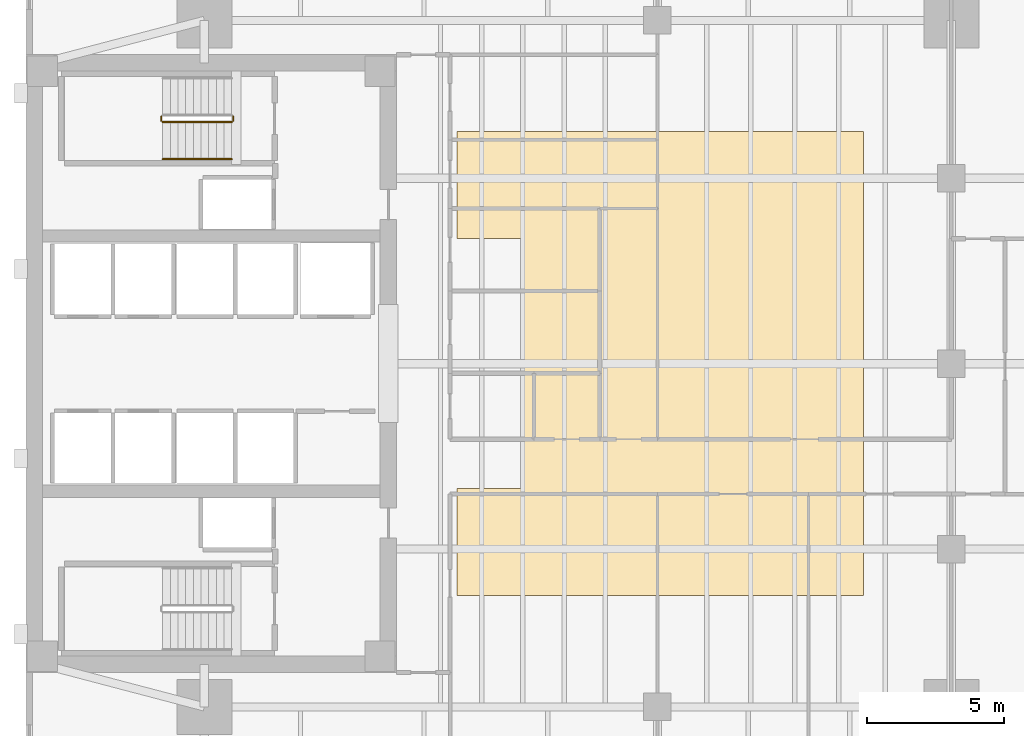
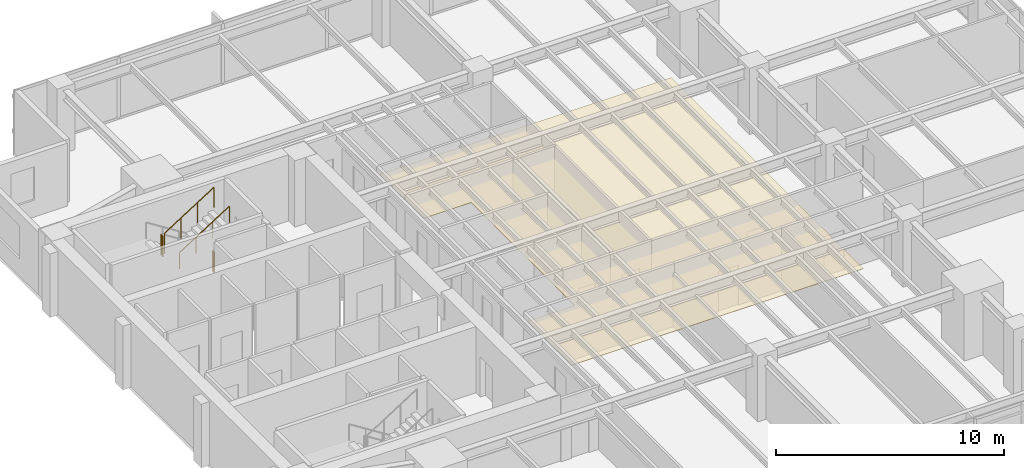
# One storey, part 13 of 15: 4 railings, 1 covering.
"""IFC4 building model written with IfcOpenShell, lengths in metres."""

import ifcopenshell
import ifcopenshell.guid

model = None  # the IFC model being written
_history = None  # IfcOwnerHistory: only IFC2X3 demands one
_inside = {}  # id of a spatial element -> (the spatial element, [elements in it])
_under = {}  # id of a project, library or spatial element -> (it, [spatial elements below it])
_declared = {}  # id of a project -> (the project, [libraries it declares])
_typed = {}  # id of a type object -> (the type object, [elements of that type])
_made_of = {}  # id of a material, layer set ... -> (it, [elements and type objects made of it])


def new_model(schema):
    """Start an empty IFC model of exactly this schema.

    Asked for "IFC4X3", IfcOpenShell would pick the latest addendum, in which some entities
    have other attributes; the version numbers below select the first issue.
    IFC2X3 requires an IfcOwnerHistory on every rooted entity: one is made here for all.
    """
    global model, _history
    if schema == "IFC4X3":
        model = ifcopenshell.file(schema_version=(4, 3, 0, 0))
    else:
        model = ifcopenshell.file(schema=schema)
    _inside.clear()
    _under.clear()
    _declared.clear()
    _typed.clear()
    _made_of.clear()
    _history = None
    if model.schema == "IFC2X3":
        org = make("IfcOrganization", Name="unknown")
        user = make(
            "IfcPersonAndOrganization",
            ThePerson=make("IfcPerson", FamilyName="unknown"),
            TheOrganization=org,
        )
        app = make(
            "IfcApplication",
            ApplicationDeveloper=org,
            Version="unknown",
            ApplicationFullName="unknown",
            ApplicationIdentifier="unknown",
        )
        _history = make(
            "IfcOwnerHistory",
            OwningUser=user,
            OwningApplication=app,
            ChangeAction="ADDED",
            CreationDate=0,
        )
    return model


def make(cls, **values):
    """One entity of the class cls with the attributes given. An attribute that is None is left unset."""
    return model.create_entity(
        cls, **{name: value for name, value in values.items() if value is not None}
    )


def rooted(cls, **values):
    """An entity with a GlobalId (a new one), such as an element, a storey or a relation."""
    return make(cls, GlobalId=ifcopenshell.guid.new(), OwnerHistory=_history, **values)


def si_unit(unit_type, name, prefix=None):
    """IfcSIUnit, for example si_unit("LENGTHUNIT", "METRE", prefix="MILLI")."""
    return make("IfcSIUnit", UnitType=unit_type, Prefix=prefix, Name=name)


def assignment(units):
    """IfcUnitAssignment: the units of a project."""
    return None if units is None else make("IfcUnitAssignment", Units=units)


def point(xyz):
    """IfcCartesianPoint."""
    return None if xyz is None else make("IfcCartesianPoint", Coordinates=xyz)


def direction(xyz):
    """IfcDirection."""
    return None if xyz is None else make("IfcDirection", DirectionRatios=xyz)


def frame(location, z_axis=None, x_axis=None):
    """IfcAxis2Placement3D, a coordinate frame: its origin and axes. An axis left out is left unset."""
    return make(
        "IfcAxis2Placement3D",
        Location=point(location),
        Axis=direction(z_axis),
        RefDirection=direction(x_axis),
    )


def frame_2d(location, x_axis=None):
    """IfcAxis2Placement2D, a coordinate frame in the plane: its origin and x axis."""
    return make(
        "IfcAxis2Placement2D", Location=point(location), RefDirection=direction(x_axis)
    )


def origin():
    """The frame at (0, 0, 0) with its axes left unset."""
    return frame((0.0, 0.0, 0.0))


def origin_2d():
    """The frame at (0, 0) in the plane with its x axis left unset."""
    return frame_2d((0.0, 0.0))


def place(relative_to, where):
    """IfcLocalPlacement: puts the frame where relative to a parent placement (None: the world)."""
    return make(
        "IfcLocalPlacement", PlacementRelTo=relative_to, RelativePlacement=where
    )


def context(
    kind, dimensions, precision=None, world=None, true_north=None, identifier=None
):
    """IfcGeometricRepresentationContext, for example the 3D "Model" context."""
    return make(
        "IfcGeometricRepresentationContext",
        ContextIdentifier=identifier,
        ContextType=kind,
        CoordinateSpaceDimension=dimensions,
        Precision=precision,
        WorldCoordinateSystem=world,
        TrueNorth=true_north,
    )


def subcontext(parent, identifier, kind, view, scale=None):
    """IfcGeometricRepresentationSubContext, for example "Body" below "Model"."""
    return make(
        "IfcGeometricRepresentationSubContext",
        ContextIdentifier=identifier,
        ContextType=kind,
        ParentContext=parent,
        TargetScale=scale,
        TargetView=view,
    )


def project(units=None, contexts=None):
    """IfcProject with its units and contexts."""
    return rooted(
        "IfcProject",
        Name="project",
        RepresentationContexts=contexts,
        UnitsInContext=assignment(units),
    )


def spatial(cls, under=None, at=None, **own):
    """A site, building, storey or space (cls), placed at a placement, below another one or the project."""
    s = rooted(cls, ObjectPlacement=at, **own)
    if under is not None:
        _under.setdefault(under.id(), (under, []))[1].append(s)
    return s


def polyline(points):
    """IfcPolyline through the points."""
    return make("IfcPolyline", Points=[point(p) for p in points])


def profile(cls, at=None, kind="AREA", **sizes):
    """A parametric profile (cls). Its sizes go by their IFC names, for example OverallWidth=200.0."""
    return make(cls, ProfileType=kind, Position=at, **sizes)


def circle(**sizes):
    """IfcCircleProfileDef."""
    return profile("IfcCircleProfileDef", **sizes)


def outline(outer, holes=None, kind="AREA"):
    """IfcArbitraryClosedProfileDef: a profile drawn as a closed curve; with holes, ...WithVoids."""
    if holes is None:
        return make("IfcArbitraryClosedProfileDef", ProfileType=kind, OuterCurve=outer)
    return make(
        "IfcArbitraryProfileDefWithVoids",
        ProfileType=kind,
        OuterCurve=outer,
        InnerCurves=holes,
    )


def extrude(swept, where, along, depth):
    """IfcExtrudedAreaSolid: the profile swept, set in the frame where, extruded along a direction by depth."""
    return make(
        "IfcExtrudedAreaSolid",
        SweptArea=swept,
        Position=where,
        ExtrudedDirection=direction(along),
        Depth=depth,
    )


def shape(context_of_items, identifier, shape_type, items):
    """IfcShapeRepresentation: the items that make up one representation, for example the "Body"."""
    return make(
        "IfcShapeRepresentation",
        ContextOfItems=context_of_items,
        RepresentationIdentifier=identifier,
        RepresentationType=shape_type,
        Items=items,
    )


def material(Name=None, Category=None):
    """IfcMaterial."""
    return make("IfcMaterial", Name=Name, Category=Category)


def layer(
    of_material, thickness, ventilated=None, Name=None, Category=None, Priority=None
):
    """IfcMaterialLayer: one layer of a wall or slab, of a material (None: an air gap)."""
    return make(
        "IfcMaterialLayer",
        Material=of_material,
        LayerThickness=thickness,
        IsVentilated=ventilated,
        Name=Name,
        Category=Category,
        Priority=Priority,
    )


def layer_set(layers, Name=None):
    """IfcMaterialLayerSet."""
    return make("IfcMaterialLayerSet", MaterialLayers=layers, LayerSetName=Name)


def made_of(thing, what):
    """Note that an element or type object is made of a material, layer set ...; save() writes the relation."""
    if what is not None:
        _made_of.setdefault(what.id(), (what, []))[1].append(thing)
    return thing


def type_object(cls, material=None, **own):
    """A type object (cls), such as IfcWallType, which elements share."""
    return made_of(rooted(cls, **own), material)


def element(
    cls,
    number,
    at=None,
    inside=None,
    cuts=None,
    type_object=None,
    material=None,
    context=None,
    identifier="Body",
    shape_type=None,
    held_by="IfcProductDefinitionShape",
    body=None,
    shapes=None,
    **own,
):
    """One element of the class cls, such as IfcWall. Its Tag is "e" and its number.

    at: its placement. inside: the storey or other place that contains it. cuts: it is an
    opening in that element (IfcRelVoidsElement). A single representation is given by context,
    identifier, shape_type and body (its items); several are given by shapes. held_by: the class
    of the entity that holds the representations. save() writes the other relations.
    """
    e = rooted(cls, Tag="e%d" % number, ObjectPlacement=at, **own)
    if body is not None:
        shapes = [shape(context, identifier, shape_type, body)]
    if shapes is not None:
        e.Representation = make(held_by, Representations=shapes)
    if inside is not None:
        _inside.setdefault(inside.id(), (inside, []))[1].append(e)
    if cuts is not None:
        rooted(
            "IfcRelVoidsElement", RelatingBuildingElement=cuts, RelatedOpeningElement=e
        )
    if type_object is not None:
        _typed.setdefault(type_object.id(), (type_object, []))[1].append(e)
    return made_of(e, material)


def aggregate(whole, parts):
    """IfcRelAggregates: a whole, such as a stair, and the parts it consists of."""
    return rooted("IfcRelAggregates", RelatingObject=whole, RelatedObjects=parts)


def save(model, path):
    """Write the relations noted so far, then the file.

    IfcRelAggregates (storeys below a building ...), IfcRelContainedInSpatialStructure (elements
    in a storey), IfcRelDefinesByType, IfcRelAssociatesMaterial and IfcRelDeclares: one each for
    every whole, place, type object, material and project.
    """
    for whole, parts in _under.values():
        aggregate(whole, parts)
    for where, things in _inside.values():
        rooted(
            "IfcRelContainedInSpatialStructure",
            RelatedElements=things,
            RelatingStructure=where,
        )
    for kind, things in _typed.values():
        rooted("IfcRelDefinesByType", RelatedObjects=things, RelatingType=kind)
    for what, things in _made_of.values():
        rooted("IfcRelAssociatesMaterial", RelatedObjects=things, RelatingMaterial=what)
    for by, libraries in _declared.values():
        rooted("IfcRelDeclares", RelatingContext=by, RelatedDefinitions=libraries)
    model.write(path)


model = new_model("IFC4")

# Units and contexts
model_context = context("Model", 3, precision=1e-05, world=origin(), true_north=direction((0.0, 1.0)))
body_context = subcontext(model_context, "Body", "Model", "MODEL_VIEW")
ifc_project = project(units=[si_unit("LENGTHUNIT", "METRE"), si_unit("AREAUNIT", "SQUARE_METRE"), si_unit("VOLUMEUNIT", "CUBIC_METRE"), si_unit("PLANEANGLEUNIT", "RADIAN"), si_unit("MASSUNIT", "GRAM", prefix="KILO")], contexts=[model_context])

# Site, building, storey
site_placement = place(None, origin())
site = spatial("IfcSite", under=ifc_project, at=site_placement, CompositionType="ELEMENT")
building_placement = place(site_placement, origin())
building = spatial("IfcBuilding", under=site, at=building_placement, Name="Kinhvarn Gate Tower", CompositionType="ELEMENT")
storey_placement = place(building_placement, frame((0.0, 0.0, 105.800048828125)))
storey = spatial("IfcBuildingStorey", under=building, at=storey_placement, Name="L27", CompositionType="ELEMENT", Elevation=105.800048828125)

# Covering
ifc_material_1 = material(Name="Mineral-fibre acoustic ceiling tile")
ifc_layer = layer(ifc_material_1, 0.02001953125)
ifc_layer_set = layer_set([ifc_layer], Name="Mineral-fibre acoustic ceiling tile")
covering_type = type_object("IfcCoveringType", Name="COV-CEIL-20", PredefinedType="CEILING", material=ifc_layer_set)
covering_placement = place(storey_placement, frame((0.0, 0.0, 2.64990234375)))
element("IfcCovering", 1, at=covering_placement, inside=storey, type_object=covering_type, Name="Suspended Acoustic Ceiling Tile (L27-1)", PredefinedType="CEILING", context=body_context, shape_type="SweptSolid", body=[
    extrude(outline(polyline([(35.0, 33.699951171875), (35.0, 16.800048828125), (20.199951171875, 16.800048828125), (20.199951171875, 20.699951171875), (22.60009765625, 20.699951171875), (22.60009765625, 29.800048828125), (20.199951171875, 29.800048828125), (20.199951171875, 33.699951171875), (35.0, 33.699951171875)])), origin(), (0.0, 0.0, 1.0), 0.02001953125),
])

# Railings
ifc_material_2 = material(Name="Steel S355", Category="steel")
railing_type_1 = type_object("IfcRailingType", Name="RL-ST-GRD", PredefinedType="BALUSTRADE", material=ifc_material_2)
railing_1_placement = place(storey_placement, frame((9.429931640625, 34.25, 1.77490234375)))
element("IfcRailing", 2, at=railing_1_placement, inside=storey, type_object=railing_type_1, Name="L27 ST2 stair guard 2", PredefinedType="BALUSTRADE", context=body_context, shape_type="SweptSolid", body=[
    extrude(circle(Radius=0.02392578125, at=origin_2d()), frame((0.0, 0.0, 1.076171875), z_axis=(0.0, -1.0, 0.0), x_axis=(1.0, 0.0, 0.0)), (0.0, 0.0, 1.0), 0.14990234375),
    extrude(circle(Radius=0.02099609375, at=origin_2d()), origin(), (0.0, 0.0, 1.0), 1.052001953125),
    extrude(circle(Radius=0.02099609375, at=origin_2d()), frame((0.0, -0.14990234375, 0.0)), (0.0, 0.0, 1.0), 1.052001953125),
])
railing_2_placement = place(storey_placement, frame((9.47998046875, 34.050048828125, 1.952392578125)))
element("IfcRailing", 3, at=railing_2_placement, inside=storey, type_object=railing_type_1, Name="L27 ST2 stair guard 3", PredefinedType="BALUSTRADE", context=body_context, shape_type="SweptSolid", body=[
    extrude(circle(Radius=0.02392578125, at=origin_2d()), frame((0.0, 0.0, 1.076171875), z_axis=(0.84456994832, 0.0, 0.535445237532), x_axis=(0.0, 1.0, 0.0)), (0.0, 0.0, 1.0), 2.98388671875),
    extrude(circle(Radius=0.02099609375, at=origin_2d()), origin(), (0.0, 0.0, 1.0), 1.052001953125),
    extrude(circle(Radius=0.02099609375, at=origin_2d()), frame((0.840087890625, 0.0, 0.532470703125)), (0.0, 0.0, 1.0), 1.052001953125),
    extrude(circle(Radius=0.02099609375, at=origin_2d()), frame((1.679931640625, 0.0, 1.065185546875)), (0.0, 0.0, 1.0), 1.052001953125),
    extrude(circle(Radius=0.02099609375, at=origin_2d()), frame((2.52001953125, 0.0, 1.59765625)), (0.0, 0.0, 1.0), 1.052001953125),
])
railing_3_placement = place(storey_placement, frame((12.050048828125, 34.25, 0.0)))
element("IfcRailing", 4, at=railing_3_placement, inside=storey, type_object=railing_type_1, Name="L27 ST2 stair guard 4", PredefinedType="BALUSTRADE", context=body_context, shape_type="SweptSolid", body=[
    extrude(circle(Radius=0.02392578125, at=origin_2d()), frame((0.0, 0.0, 1.076171875), z_axis=(0.0, -1.0, 0.0), x_axis=(1.0, 0.0, 0.0)), (0.0, 0.0, 1.0), 0.14990234375),
    extrude(circle(Radius=0.02099609375, at=origin_2d()), origin(), (0.0, 0.0, 1.0), 1.052001953125),
    extrude(circle(Radius=0.02099609375, at=origin_2d()), frame((0.0, -0.14990234375, 0.0)), (0.0, 0.0, 1.0), 1.052001953125),
])
railing_type_2 = type_object("IfcRailingType", Name="RL-ST-HND", PredefinedType="HANDRAIL", material=ifc_material_2)
railing_4_placement = place(storey_placement, frame((9.47998046875, 32.699951171875, 1.952392578125)))
element("IfcRailing", 5, at=railing_4_placement, inside=storey, type_object=railing_type_2, Name="L27 ST2 stair handrail 2", PredefinedType="HANDRAIL", context=body_context, shape_type="SweptSolid", body=[
    extrude(circle(Radius=0.02392578125, at=origin_2d()), frame((0.0, 0.0, 0.8759765625), z_axis=(0.84456994832, 0.0, 0.535445237532), x_axis=(0.0, 1.0, 0.0)), (0.0, 0.0, 1.0), 2.98388671875),
    extrude(circle(Radius=0.02099609375, at=origin_2d()), origin(), (0.0, 0.0, 1.0), 0.851806640625),
    extrude(circle(Radius=0.02099609375, at=origin_2d()), frame((0.840087890625, 0.0, 0.532470703125)), (0.0, 0.0, 1.0), 0.851806640625),
    extrude(circle(Radius=0.02099609375, at=origin_2d()), frame((1.679931640625, 0.0, 1.065185546875)), (0.0, 0.0, 1.0), 0.851806640625),
    extrude(circle(Radius=0.02099609375, at=origin_2d()), frame((2.52001953125, 0.0, 1.59765625)), (0.0, 0.0, 1.0), 0.851806640625),
])

save(model, "model.ifc")
